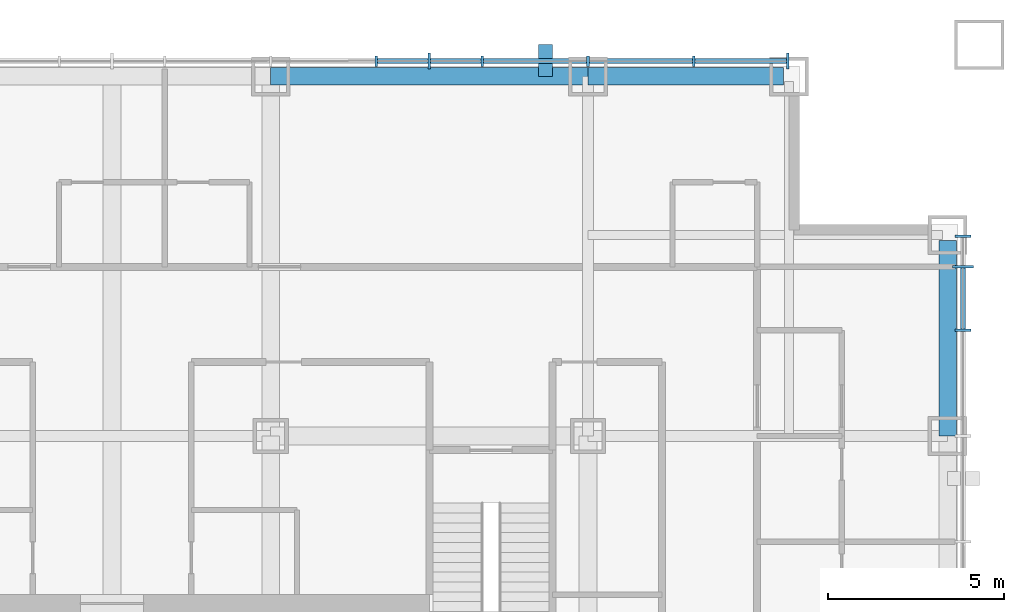
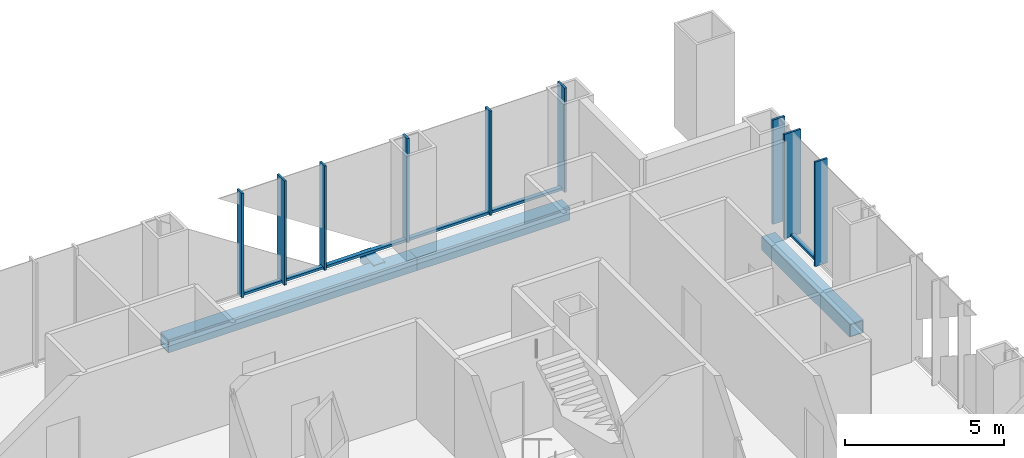
# One storey, part 6 of 14: 16 members, 3 beams, 2 elements without a shape of their own.
"""IFC4 building model written with IfcOpenShell, lengths in metres."""

from ifc_helpers import new_model, si_unit, direction, frame, origin, origin_2d, place, context, subcontext, project, spatial, rectangle, hollow_rectangle, extrude, material, layer, layer_set, material_profile, profile_set, type_object, element, aggregate, save


model = new_model("IFC4")

# Units and contexts
model_context = context("Model", 3, precision=1e-05, world=origin(), true_north=direction((0.0, 1.0)))
body_context = subcontext(model_context, "Body", "Model", "MODEL_VIEW")
ifc_project = project(units=[si_unit("LENGTHUNIT", "METRE"), si_unit("AREAUNIT", "SQUARE_METRE"), si_unit("VOLUMEUNIT", "CUBIC_METRE"), si_unit("PLANEANGLEUNIT", "RADIAN"), si_unit("MASSUNIT", "GRAM", prefix="KILO")], contexts=[model_context])

# Site, building, storey
site_placement = place(None, origin())
site = spatial("IfcSite", under=ifc_project, at=site_placement, CompositionType="ELEMENT")
building_placement = place(site_placement, origin())
building = spatial("IfcBuilding", under=site, at=building_placement, Name="Malebo Sky Hospital", CompositionType="ELEMENT")
storey_placement = place(building_placement, frame((0.0, 0.0, 148.0)))
storey = spatial("IfcBuildingStorey", under=building, at=storey_placement, Name="L35", CompositionType="ELEMENT", Elevation=148.0)

# Curtain wall, members
ifc_material_1 = material(Name="Anodised aluminium, natural silver", Category="aluminium")
ifc_layer_1 = layer(ifc_material_1, 0.25)
ifc_layer_set_1 = layer_set([ifc_layer_1], Name="WARD CURTAIN WALL NORTH AND SOUTH")
curtain_wall_type_1 = type_object("IfcCurtainWallType", Name="WARD CURTAIN WALL NORTH AND SOUTH", PredefinedType="NOTDEFINED", material=ifc_layer_set_1)
curtain_wall_1_placement = place(storey_placement, origin())
curtain_wall_1 = element("IfcCurtainWall", 1, at=curtain_wall_1_placement, inside=storey, type_object=curtain_wall_type_1, Name="NS curtain wall N", PredefinedType="NOTDEFINED")
ifc_material_profile_1 = material_profile(ifc_material_1, rectangle(XDim=0.14990234375, YDim=0.10009765625, at=origin_2d()), Name="ALUMINIUM TRANSOM 150x100")
ifc_profile_set_1 = profile_set([ifc_material_profile_1], Name="Anodised aluminium, natural silver")
member_type_1 = type_object("IfcMemberType", Name="ALUMINIUM TRANSOM 150x100", PredefinedType="USERDEFINED", material=ifc_profile_set_1)
member_1_placement = place(storey_placement, frame((67.53759765625, 86.135009765625, 0.050048828125), z_axis=(1.0, 0.0, 0.0), x_axis=(0.0, 1.0, 0.0)))
member_1 = element("IfcMember", 2, at=member_1_placement, type_object=member_type_1, Name="Transom 13", ObjectType="TRANSOM", PredefinedType="USERDEFINED", context=body_context, shape_type="SweptSolid", body=[
    extrude(rectangle(XDim=0.14990234375, YDim=0.10009765625, at=origin_2d()), origin(), (0.0, 0.0, 1.0), 1.4248046875),
])
member_2_placement = place(storey_placement, frame((69.03759765625, 86.135009765625, 0.050048828125), z_axis=(1.0, 0.0, 0.0), x_axis=(0.0, 1.0, 0.0)))
member_2 = element("IfcMember", 3, at=member_2_placement, type_object=member_type_1, Name="Transom 14", ObjectType="TRANSOM", PredefinedType="USERDEFINED", context=body_context, shape_type="SweptSolid", body=[
    extrude(rectangle(XDim=0.14990234375, YDim=0.10009765625, at=origin_2d()), origin(), (0.0, 0.0, 1.0), 1.4248046875),
])
member_3_placement = place(storey_placement, frame((70.53759765625, 86.135009765625, 0.050048828125), z_axis=(1.0, 0.0, 0.0), x_axis=(0.0, 1.0, 0.0)))
member_3 = element("IfcMember", 4, at=member_3_placement, type_object=member_type_1, Name="Transom 15", ObjectType="TRANSOM", PredefinedType="USERDEFINED", context=body_context, shape_type="SweptSolid", body=[
    extrude(rectangle(XDim=0.14990234375, YDim=0.10009765625, at=origin_2d()), origin(), (0.0, 0.0, 1.0), 2.9248046875),
])
member_4_placement = place(storey_placement, frame((73.53759765625, 86.135009765625, 0.050048828125), z_axis=(1.0, 0.0, 0.0), x_axis=(0.0, 1.0, 0.0)))
member_4 = element("IfcMember", 5, at=member_4_placement, type_object=member_type_1, Name="Transom 16", ObjectType="TRANSOM", PredefinedType="USERDEFINED", context=body_context, shape_type="SweptSolid", body=[
    extrude(rectangle(XDim=0.14990234375, YDim=0.10009765625, at=origin_2d()), origin(), (0.0, 0.0, 1.0), 2.9248046875),
])
member_5_placement = place(storey_placement, frame((76.53759765625, 86.135009765625, 0.050048828125), z_axis=(1.0, 0.0, 0.0), x_axis=(0.0, 1.0, 0.0)))
member_5 = element("IfcMember", 6, at=member_5_placement, type_object=member_type_1, Name="Transom 17", ObjectType="TRANSOM", PredefinedType="USERDEFINED", context=body_context, shape_type="SweptSolid", body=[
    extrude(rectangle(XDim=0.14990234375, YDim=0.10009765625, at=origin_2d()), origin(), (0.0, 0.0, 1.0), 2.58740234375),
])

# Curtain wall, member
ifc_layer_2 = layer(ifc_material_1, 0.25)
ifc_layer_set_2 = layer_set([ifc_layer_2], Name="WARD CURTAIN WALL EAST AND WEST")
curtain_wall_type_2 = type_object("IfcCurtainWallType", Name="WARD CURTAIN WALL EAST AND WEST", PredefinedType="NOTDEFINED", material=ifc_layer_set_2)
curtain_wall_2_placement = place(storey_placement, origin())
curtain_wall_2 = element("IfcCurtainWall", 7, at=curtain_wall_2_placement, inside=storey, type_object=curtain_wall_type_2, Name="EW curtain wall E", PredefinedType="NOTDEFINED")
member_6_placement = place(storey_placement, frame((84.135009765625, 80.262451171875, 0.050048828125), z_axis=(0.0, -1.0, 0.0), x_axis=(1.0, 0.0, 0.0)))
member_6 = element("IfcMember", 8, at=member_6_placement, type_object=member_type_1, Name="Transom 2", ObjectType="TRANSOM", PredefinedType="USERDEFINED", context=body_context, shape_type="SweptSolid", body=[
    extrude(rectangle(XDim=0.14990234375, YDim=0.10009765625, at=origin_2d()), origin(), (0.0, 0.0, 1.0), 1.724853515625),
])

# Member
ifc_material_2 = material(Name="Steel S355", Category="steel")
ifc_material_profile_2 = material_profile(ifc_material_2, hollow_rectangle(XDim=0.39990234375, YDim=0.39990234375, WallThickness=0.02001953125, at=origin_2d()), Name="SHS 400x20")
ifc_profile_set_2 = profile_set([ifc_material_profile_2], Name="Steel S355")
member_type_2 = type_object("IfcMemberType", Name="BRACE STRUT SHS 400x20", PredefinedType="STRUT", material=ifc_profile_set_2)
member_7_placement = place(storey_placement, frame((72.300048828125, 86.60009765625, -0.39990234375), z_axis=(0.0, -1.0, 0.0), x_axis=(1.0, 0.0, 0.0)))
element("IfcMember", 9, at=member_7_placement, inside=storey, type_object=member_type_2, Name="Brace strut BN1 L35", PredefinedType="STRUT", context=body_context, shape_type="SweptSolid", body=[
    extrude(hollow_rectangle(XDim=0.39990234375, YDim=0.39990234375, WallThickness=0.02001953125, at=origin_2d()), origin(), (0.0, 0.0, 1.0), 0.900146484375),
])

ifc_material_profile_3 = material_profile(ifc_material_1, rectangle(XDim=0.074951171875, YDim=0.300048828125, at=origin_2d()), Name="CW1 ALUMINIUM FIN MULLION 75x300")
ifc_profile_set_3 = profile_set([ifc_material_profile_3], Name="Anodised aluminium, natural silver")
member_type_3 = type_object("IfcMemberType", Name="CW1 ALUMINIUM FIN MULLION 75x300", PredefinedType="MULLION", material=ifc_profile_set_3)
member_8_placement = place(storey_placement, frame((67.5, 86.135009765625, 0.0), z_axis=(0.0, 0.0, 1.0), x_axis=(1.0, 0.0, 0.0)))
member_8 = element("IfcMember", 10, at=member_8_placement, type_object=member_type_3, Name="Fin mullion 13", PredefinedType="MULLION", context=body_context, shape_type="SweptSolid", body=[
    extrude(rectangle(XDim=0.074951171875, YDim=0.300048828125, at=origin_2d()), origin(), (0.0, 0.0, 1.0), 4.0),
])

member_9_placement = place(storey_placement, frame((70.5, 86.135009765625, 0.0), z_axis=(0.0, 0.0, 1.0), x_axis=(1.0, 0.0, 0.0)))
member_9 = element("IfcMember", 11, at=member_9_placement, type_object=member_type_3, Name="Fin mullion 15", PredefinedType="MULLION", context=body_context, shape_type="SweptSolid", body=[
    extrude(rectangle(XDim=0.074951171875, YDim=0.300048828125, at=origin_2d()), origin(), (0.0, 0.0, 1.0), 4.0),
])

member_10_placement = place(storey_placement, frame((73.5, 86.135009765625, 0.0), z_axis=(0.0, 0.0, 1.0), x_axis=(1.0, 0.0, 0.0)))
member_10 = element("IfcMember", 12, at=member_10_placement, type_object=member_type_3, Name="Fin mullion 16", PredefinedType="MULLION", context=body_context, shape_type="SweptSolid", body=[
    extrude(rectangle(XDim=0.074951171875, YDim=0.300048828125, at=origin_2d()), origin(), (0.0, 0.0, 1.0), 4.0),
])

member_11_placement = place(storey_placement, frame((76.5, 86.135009765625, 0.0), z_axis=(0.0, 0.0, 1.0), x_axis=(1.0, 0.0, 0.0)))
member_11 = element("IfcMember", 13, at=member_11_placement, type_object=member_type_3, Name="Fin mullion 17", PredefinedType="MULLION", context=body_context, shape_type="SweptSolid", body=[
    extrude(rectangle(XDim=0.074951171875, YDim=0.300048828125, at=origin_2d()), origin(), (0.0, 0.0, 1.0), 4.0),
])

ifc_material_profile_4 = material_profile(ifc_material_1, rectangle(XDim=0.074951171875, YDim=0.449951171875, at=origin_2d()), Name="CW1 ALUMINIUM FIN MULLION 75x450")
ifc_profile_set_4 = profile_set([ifc_material_profile_4], Name="Anodised aluminium, natural silver")
member_type_4 = type_object("IfcMemberType", Name="CW1 ALUMINIUM FIN MULLION 75x450", PredefinedType="MULLION", material=ifc_profile_set_4)
member_12_placement = place(storey_placement, frame((69.0, 86.135009765625, 0.0), z_axis=(0.0, 0.0, 1.0), x_axis=(1.0, 0.0, 0.0)))
member_12 = element("IfcMember", 14, at=member_12_placement, type_object=member_type_4, Name="Fin mullion 14", PredefinedType="MULLION", context=body_context, shape_type="SweptSolid", body=[
    extrude(rectangle(XDim=0.074951171875, YDim=0.449951171875, at=origin_2d()), origin(), (0.0, 0.0, 1.0), 4.0),
])

member_13_placement = place(storey_placement, frame((79.16259765625, 86.135009765625, 0.0), z_axis=(0.0, 0.0, 1.0), x_axis=(1.0, 0.0, 0.0)))
member_13 = element("IfcMember", 15, at=member_13_placement, type_object=member_type_4, Name="Fin mullion 18", PredefinedType="MULLION", context=body_context, shape_type="SweptSolid", body=[
    extrude(rectangle(XDim=0.074951171875, YDim=0.449951171875, at=origin_2d()), origin(), (0.0, 0.0, 1.0), 4.0),
])

aggregate(curtain_wall_1, [member_8, member_12, member_9, member_10, member_11, member_13, member_1, member_2, member_3, member_4, member_5])

ifc_material_profile_5 = material_profile(ifc_material_1, rectangle(XDim=0.074951171875, YDim=0.449951171875, at=origin_2d()), Name="CW2 ALUMINIUM FIN MULLION 75x450")
ifc_profile_set_5 = profile_set([ifc_material_profile_5], Name="Anodised aluminium, natural silver")
member_type_5 = type_object("IfcMemberType", Name="CW2 ALUMINIUM FIN MULLION 75x450", PredefinedType="MULLION", material=ifc_profile_set_5)
member_14_placement = place(storey_placement, frame((84.135009765625, 81.16259765625, 0.0), z_axis=(0.0, 0.0, 1.0), x_axis=(0.0, -1.0, 0.0)))
member_14 = element("IfcMember", 16, at=member_14_placement, type_object=member_type_5, Name="Fin mullion 1", PredefinedType="MULLION", context=body_context, shape_type="SweptSolid", body=[
    extrude(rectangle(XDim=0.074951171875, YDim=0.449951171875, at=origin_2d()), origin(), (0.0, 0.0, 1.0), 4.0),
])

member_15_placement = place(storey_placement, frame((84.135009765625, 78.5, 0.0), z_axis=(0.0, 0.0, 1.0), x_axis=(0.0, -1.0, 0.0)))
member_15 = element("IfcMember", 17, at=member_15_placement, type_object=member_type_5, Name="Fin mullion 3", PredefinedType="MULLION", context=body_context, shape_type="SweptSolid", body=[
    extrude(rectangle(XDim=0.074951171875, YDim=0.449951171875, at=origin_2d()), origin(), (0.0, 0.0, 1.0), 4.0),
])

ifc_material_profile_6 = material_profile(ifc_material_1, rectangle(XDim=0.074951171875, YDim=0.60009765625, at=origin_2d()), Name="CW2 ALUMINIUM FIN MULLION 75x600")
ifc_profile_set_6 = profile_set([ifc_material_profile_6], Name="Anodised aluminium, natural silver")
member_type_6 = type_object("IfcMemberType", Name="CW2 ALUMINIUM FIN MULLION 75x600", PredefinedType="MULLION", material=ifc_profile_set_6)
member_16_placement = place(storey_placement, frame((84.135009765625, 80.300048828125, 0.0), z_axis=(0.0, 0.0, 1.0), x_axis=(0.0, -1.0, 0.0)))
member_16 = element("IfcMember", 18, at=member_16_placement, type_object=member_type_6, Name="Fin mullion 2", PredefinedType="MULLION", context=body_context, shape_type="SweptSolid", body=[
    extrude(rectangle(XDim=0.074951171875, YDim=0.60009765625, at=origin_2d()), origin(), (0.0, 0.0, 1.0), 4.0),
])

aggregate(curtain_wall_2, [member_14, member_16, member_15, member_6])

# Beams
ifc_material_3 = material(Name="Steel S460", Category="steel")
ifc_material_profile_7 = material_profile(ifc_material_3, hollow_rectangle(XDim=0.5, YDim=0.5, WallThickness=0.030029296875, at=origin_2d()), Name="BOX 500x500x30")
ifc_profile_set_7 = profile_set([ifc_material_profile_7], Name="Steel S460")
beam_type = type_object("IfcBeamType", Name="EDGE BEAM BOX 500x500x30", PredefinedType="BEAM", material=ifc_profile_set_7)
beam_1_placement = place(storey_placement, frame((83.699951171875, 75.5, -0.5), z_axis=(0.0, 1.0, 0.0), x_axis=(-1.0, 0.0, 0.0)))
element("IfcBeam", 19, at=beam_1_placement, inside=storey, type_object=beam_type, Name="Beam 033 L35", PredefinedType="BEAM", context=body_context, shape_type="SweptSolid", body=[
    extrude(hollow_rectangle(XDim=0.5, YDim=0.5, WallThickness=0.030029296875, at=origin_2d()), origin(), (0.0, 0.0, 1.0), 5.550048828125),
])
beam_2_placement = place(storey_placement, frame((64.5, 85.699951171875, -0.5), z_axis=(1.0, 0.0, 0.0), x_axis=(0.0, 1.0, 0.0)))
element("IfcBeam", 20, at=beam_2_placement, inside=storey, type_object=beam_type, Name="Beam 066 L35", PredefinedType="BEAM", context=body_context, shape_type="SweptSolid", body=[
    extrude(hollow_rectangle(XDim=0.5, YDim=0.5, WallThickness=0.030029296875, at=origin_2d()), origin(), (0.0, 0.0, 1.0), 9.0),
])
beam_3_placement = place(storey_placement, frame((73.5, 85.699951171875, -0.5), z_axis=(1.0, 0.0, 0.0), x_axis=(0.0, 1.0, 0.0)))
element("IfcBeam", 21, at=beam_3_placement, inside=storey, type_object=beam_type, Name="Beam 067 L35", PredefinedType="BEAM", context=body_context, shape_type="SweptSolid", body=[
    extrude(hollow_rectangle(XDim=0.5, YDim=0.5, WallThickness=0.030029296875, at=origin_2d()), origin(), (0.0, 0.0, 1.0), 5.550048828125),
])

save(model, "model.ifc")
